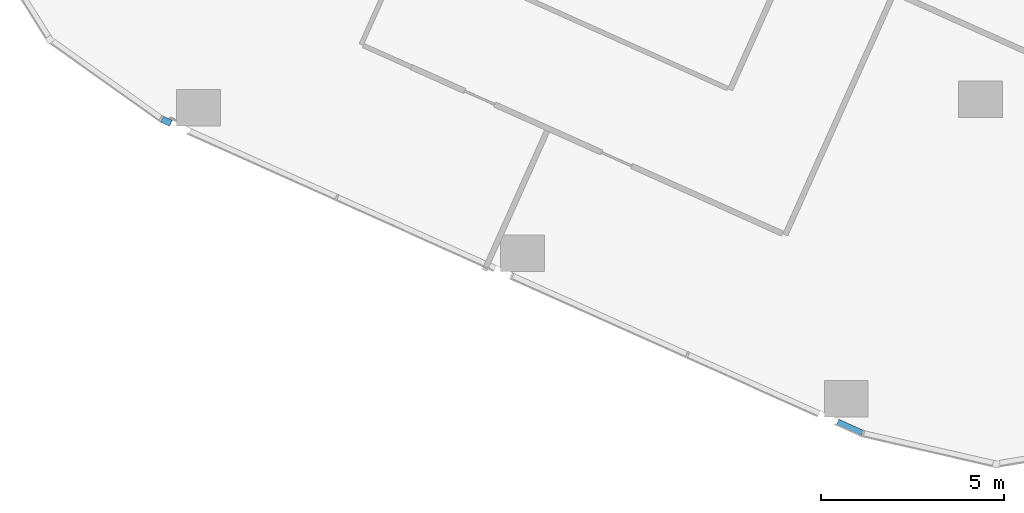
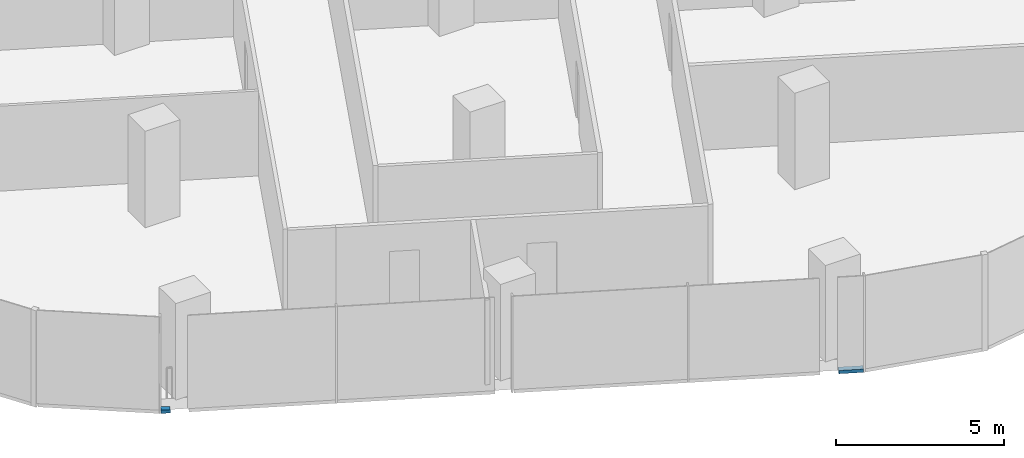
# One storey, part 16 of 34: 2 members, 1 element without a shape of its own.
"""IFC4 building model written with IfcOpenShell, lengths in metres."""

from ifc_helpers import new_model, si_unit, direction, frame, origin, origin_2d, place, context, subcontext, project, spatial, rectangle, extrude, material, material_profile, profile_set, type_object, element, aggregate, save


model = new_model("IFC4")

# Units and contexts
model_context = context("Model", 3, precision=1e-05, world=origin(), true_north=direction((0.0, 1.0)))
body_context = subcontext(model_context, "Body", "Model", "MODEL_VIEW")
ifc_project = project(units=[si_unit("LENGTHUNIT", "METRE"), si_unit("AREAUNIT", "SQUARE_METRE"), si_unit("VOLUMEUNIT", "CUBIC_METRE"), si_unit("PLANEANGLEUNIT", "RADIAN"), si_unit("MASSUNIT", "GRAM", prefix="KILO")], contexts=[model_context])

# Site, building, storey
site_placement = place(None, origin())
site = spatial("IfcSite", under=ifc_project, at=site_placement, CompositionType="ELEMENT")
building_placement = place(site_placement, origin())
building = spatial("IfcBuilding", under=site, at=building_placement, Name="Orlundy Tower", CompositionType="ELEMENT")
storey_placement = place(building_placement, frame((0.0, 0.0, 130.699951171875)))
storey = spatial("IfcBuildingStorey", under=building, at=storey_placement, Name="L33", CompositionType="ELEMENT", Elevation=130.699951171875)

# Curtain wall, members
ifc_material_1 = material(Name="Aluminium bronze anodised", Category="aluminium")
curtain_wall_type = type_object("IfcCurtainWallType", Name="CW1 wall", PredefinedType="NOTDEFINED", material=ifc_material_1)
curtain_wall_placement = place(storey_placement, origin())
curtain_wall = element("IfcCurtainWall", 1, at=curtain_wall_placement, inside=storey, type_object=curtain_wall_type, Name="CW1 run 023", PredefinedType="NOTDEFINED")
ifc_material_2 = material(Name="Aluminium bronze anodised", Category="aluminium")
ifc_material_profile = material_profile(ifc_material_2, rectangle(XDim=0.179931640625, YDim=0.1201171875, at=origin_2d()), Name="CW1 transom 180x120")
ifc_profile_set = profile_set([ifc_material_profile], Name="Aluminium bronze anodised")
member_type = type_object("IfcMemberType", Name="CW1 transom 180x120", PredefinedType="USERDEFINED", material=ifc_profile_set)
member_1_placement = place(storey_placement, frame((-15.23974609375, -59.571533203125, -0.33984375), z_axis=(-0.912282218677, 0.409562148502, 0.0), x_axis=(-0.409562148502, -0.912282218677, 0.0)))
member_1 = element("IfcMember", 2, at=member_1_placement, type_object=member_type, Name="CW1 transom", ObjectType="TRANSOM", PredefinedType="USERDEFINED", context=body_context, shape_type="SweptSolid", body=[
    extrude(rectangle(XDim=0.179931640625, YDim=0.1201171875, at=origin_2d()), origin(), (0.0, 0.0, 1.0), 0.73388671875),
])
member_2_placement = place(storey_placement, frame((-34.1220703125, -51.09912109375, -0.33984375), z_axis=(-0.912324305471, 0.40946838907, 0.0), x_axis=(-0.40946838907, -0.912324305471, 0.0)))
member_2 = element("IfcMember", 3, at=member_2_placement, type_object=member_type, Name="CW1 transom", ObjectType="TRANSOM", PredefinedType="USERDEFINED", context=body_context, shape_type="SweptSolid", body=[
    extrude(rectangle(XDim=0.179931640625, YDim=0.1201171875, at=origin_2d()), origin(), (0.0, 0.0, 1.0), 0.27197265625),
])
aggregate(curtain_wall, [member_1, member_2])

save(model, "model.ifc")
